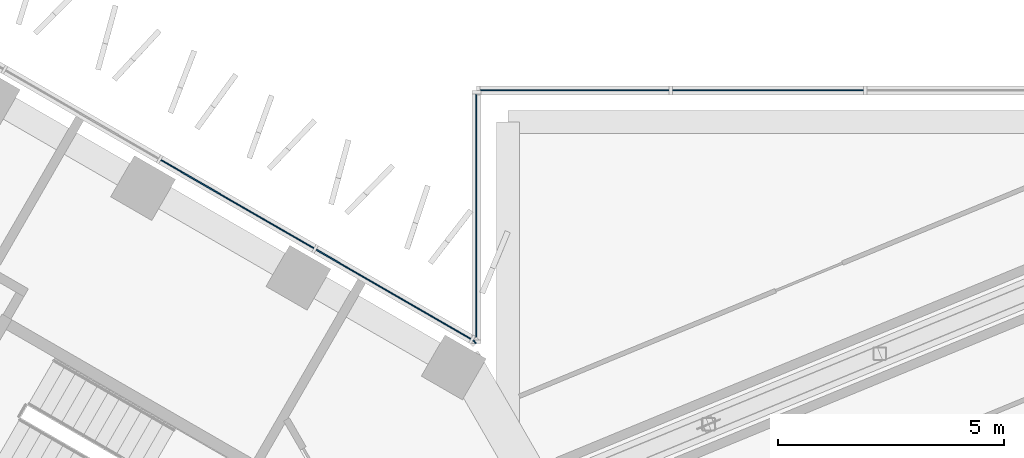
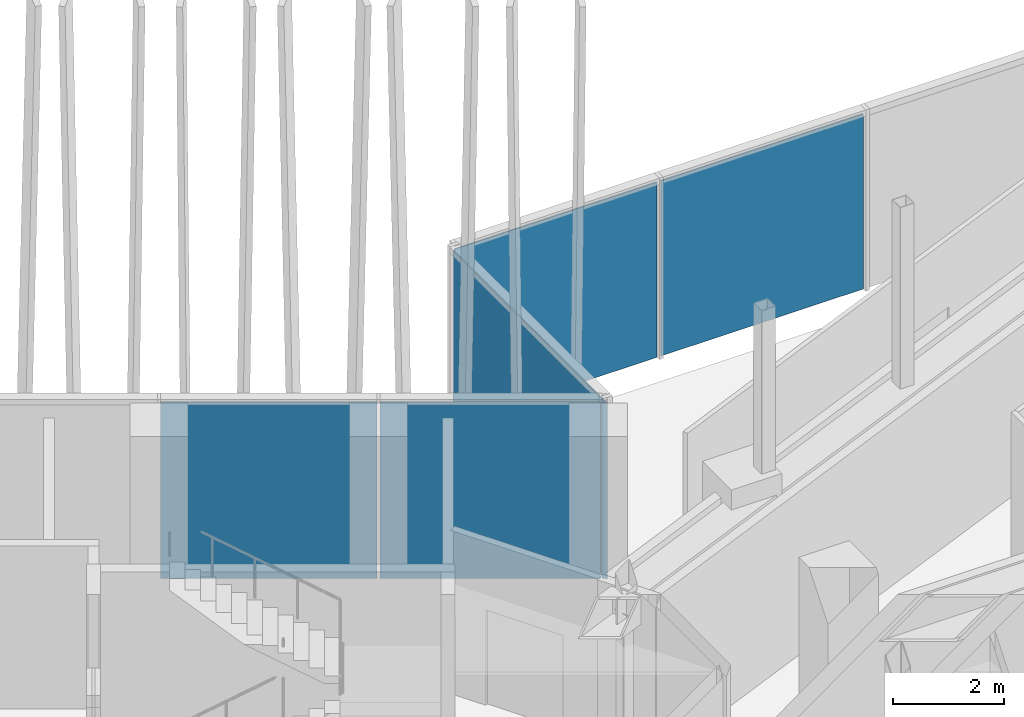
# One storey, part 18 of 28: 6 plates, 4 elements without a shape of their own.
"""IFC4 building model written with IfcOpenShell, lengths in metres."""

from ifc_helpers import new_model, si_unit, direction, frame, origin, origin_2d, place, context, subcontext, project, spatial, rectangle, extrude, material, layer, layer_set, type_object, element, aggregate, save


model = new_model("IFC4")

# Units and contexts
model_context = context("Model", 3, precision=1e-05, world=origin(), true_north=direction((0.0, 1.0)))
body_context = subcontext(model_context, "Body", "Model", "MODEL_VIEW")
ifc_project = project(units=[si_unit("LENGTHUNIT", "METRE"), si_unit("AREAUNIT", "SQUARE_METRE"), si_unit("VOLUMEUNIT", "CUBIC_METRE"), si_unit("PLANEANGLEUNIT", "RADIAN"), si_unit("MASSUNIT", "GRAM", prefix="KILO")], contexts=[model_context])

# Site, building, storey
site_placement = place(None, origin())
site = spatial("IfcSite", under=ifc_project, at=site_placement, CompositionType="ELEMENT")
building_placement = place(site_placement, origin())
building = spatial("IfcBuilding", under=site, at=building_placement, Name="Ayvan Gate Tower", CompositionType="ELEMENT")
storey_placement = place(building_placement, frame((0.0, 0.0, 120.5)))
storey = spatial("IfcBuildingStorey", under=building, at=storey_placement, Name="L32", CompositionType="ELEMENT", Elevation=120.5)

# Curtain wall, plates
ifc_material_1 = material(Name="Bronze anodised aluminium", Category="aluminium")
ifc_layer_1 = layer(ifc_material_1, 0.199951171875)
ifc_layer_set_1 = layer_set([ifc_layer_1], Name="Bronze anodised aluminium")
curtain_wall_type_1 = type_object("IfcCurtainWallType", Name="Stick curtain wall CW-1", PredefinedType="NOTDEFINED", material=ifc_layer_set_1)
curtain_wall_1_placement = place(storey_placement, origin())
curtain_wall_1 = element("IfcCurtainWall", 1, at=curtain_wall_1_placement, inside=storey, type_object=curtain_wall_type_1, Name="Stick curtain wall CW-1 L32", PredefinedType="NOTDEFINED")
ifc_material_2 = material(Name="Clear low-iron laminated glass", Category="glass")
ifc_layer_2 = layer(ifc_material_2, 0.028076171875)
ifc_layer_set_2 = layer_set([ifc_layer_2], Name="Clear low-iron laminated glass")
plate_type_1 = type_object("IfcPlateType", Name="Stick curtain wall CW-1 glass panel", PredefinedType="CURTAIN_PANEL", material=ifc_layer_set_2)
plate_1_placement = place(storey_placement, frame((13.200927734375, 14.932861328125, 0.0), z_axis=(0.0, 0.0, 1.0), x_axis=(-0.866025403784, 0.5, 0.0)))
plate_1 = element("IfcPlate", 2, at=plate_1_placement, type_object=plate_type_1, Name="CW-1 glass panel 2", PredefinedType="CURTAIN_PANEL", context=body_context, shape_type="SweptSolid", body=[
    extrude(rectangle(XDim=3.906005859375, YDim=0.028076171875, at=origin_2d()), origin(), (0.0, 0.0, 1.0), 3.8798828125),
])
ifc_material_3 = material(Name="Pale anodised aluminium composite panel", Category="aluminium")
ifc_layer_3 = layer(ifc_material_3, 0.028076171875)
ifc_layer_set_3 = layer_set([ifc_layer_3], Name="Pale anodised aluminium composite panel")
plate_type_2 = type_object("IfcPlateType", Name="Stick curtain wall CW-1 solid panel", PredefinedType="CURTAIN_PANEL", material=ifc_layer_set_3)
plate_2_placement = place(storey_placement, frame((16.6669921875, 12.931884765625, 0.0), z_axis=(0.0, 0.0, 1.0), x_axis=(-0.866025403784, 0.5, 0.0)))
plate_2 = element("IfcPlate", 3, at=plate_2_placement, type_object=plate_type_2, Name="CW-1 solid panel 1", PredefinedType="CURTAIN_PANEL", context=body_context, shape_type="SweptSolid", body=[
    extrude(rectangle(XDim=3.97802734375, YDim=0.028076171875, at=origin_2d()), origin(), (0.0, 0.0, 1.0), 3.8798828125),
])
aggregate(curtain_wall_1, [plate_2, plate_1])

ifc_layer_4 = layer(ifc_material_1, 0.199951171875)
ifc_layer_set_4 = layer_set([ifc_layer_4], Name="Bronze anodised aluminium")
curtain_wall_type_2 = type_object("IfcCurtainWallType", Name="Stick curtain wall CW-4", PredefinedType="NOTDEFINED", material=ifc_layer_set_4)
curtain_wall_2_placement = place(storey_placement, origin())
curtain_wall_2 = element("IfcCurtainWall", 4, at=curtain_wall_2_placement, inside=storey, type_object=curtain_wall_type_2, Name="Stick curtain wall CW-4 L32", PredefinedType="NOTDEFINED")
ifc_layer_5 = layer(ifc_material_3, 0.028076171875)
ifc_layer_set_5 = layer_set([ifc_layer_5], Name="Pale anodised aluminium composite panel")
plate_type_3 = type_object("IfcPlateType", Name="Stick curtain wall CW-4 solid panel", PredefinedType="CURTAIN_PANEL", material=ifc_layer_set_5)
plate_3_placement = place(storey_placement, frame((24.935546875, 17.449951171875, 0.0), z_axis=(0.0, 0.0, 1.0), x_axis=(-1.0, 0.0, 0.0)))
plate_3 = element("IfcPlate", 5, at=plate_3_placement, type_object=plate_type_3, Name="CW-4 solid panel 3", PredefinedType="CURTAIN_PANEL", context=body_context, shape_type="SweptSolid", body=[
    extrude(rectangle(XDim=4.219970703125, YDim=0.028076171875, at=origin_2d()), origin(), (0.0, 0.0, 1.0), 3.860107421875),
])
plate_4_placement = place(storey_placement, frame((20.635498046875, 17.449951171875, 0.0), z_axis=(0.0, 0.0, 1.0), x_axis=(-1.0, 0.0, 0.0)))
plate_4 = element("IfcPlate", 6, at=plate_4_placement, type_object=plate_type_3, Name="CW-4 solid panel 4", PredefinedType="CURTAIN_PANEL", context=body_context, shape_type="SweptSolid", body=[
    extrude(rectangle(XDim=4.219970703125, YDim=0.028076171875, at=origin_2d()), origin(), (0.0, 0.0, 1.0), 3.860107421875),
])
aggregate(curtain_wall_2, [plate_3, plate_4])

# Curtain wall, plate
curtain_wall_3_placement = place(storey_placement, origin())
curtain_wall_3 = element("IfcCurtainWall", 7, at=curtain_wall_3_placement, inside=storey, type_object=curtain_wall_type_2, Name="Stick curtain wall CW-4 L32", PredefinedType="NOTDEFINED")
plate_5_placement = place(storey_placement, frame((18.485595703125, 14.651123046875, 0.0), z_axis=(0.0, 0.0, 1.0), x_axis=(0.0, -1.0, 0.0)))
plate_5 = element("IfcPlate", 8, at=plate_5_placement, type_object=plate_type_3, Name="CW-4 solid panel 1", PredefinedType="CURTAIN_PANEL", context=body_context, shape_type="SweptSolid", body=[
    extrude(rectangle(XDim=5.517822265625, YDim=0.028076171875, at=origin_2d()), origin(), (0.0, 0.0, 1.0), 3.860107421875),
])
aggregate(curtain_wall_3, [plate_5])

ifc_layer_6 = layer(ifc_material_1, 0.199951171875)
ifc_layer_set_6 = layer_set([ifc_layer_6], Name="Bronze anodised aluminium")
curtain_wall_type_3 = type_object("IfcCurtainWallType", Name="Stick curtain wall CW-6", PredefinedType="NOTDEFINED", material=ifc_layer_set_6)
curtain_wall_4_placement = place(storey_placement, origin())
curtain_wall_4 = element("IfcCurtainWall", 9, at=curtain_wall_4_placement, inside=storey, type_object=curtain_wall_type_3, Name="Stick curtain wall CW-6 L32", PredefinedType="NOTDEFINED")
ifc_layer_7 = layer(ifc_material_2, 0.028076171875)
ifc_layer_set_7 = layer_set([ifc_layer_7], Name="Clear low-iron laminated glass")
plate_type_4 = type_object("IfcPlateType", Name="Stick curtain wall CW-6 glass panel", PredefinedType="CURTAIN_PANEL", material=ifc_layer_set_7)
plate_6_placement = place(storey_placement, frame((18.450439453125, 11.88720703125, 0.0), z_axis=(0.0, 0.0, 1.0), x_axis=(-0.707106781187, 0.707106781187, 0.0)))
plate_6 = element("IfcPlate", 10, at=plate_6_placement, type_object=plate_type_4, Name="CW-6 glass panel 1", PredefinedType="CURTAIN_PANEL", context=body_context, shape_type="SweptSolid", body=[
    extrude(rectangle(XDim=0.099365234375, YDim=0.028076171875, at=origin_2d()), origin(), (0.0, 0.0, 1.0), 3.8798828125),
])
aggregate(curtain_wall_4, [plate_6])

save(model, "model.ifc")
